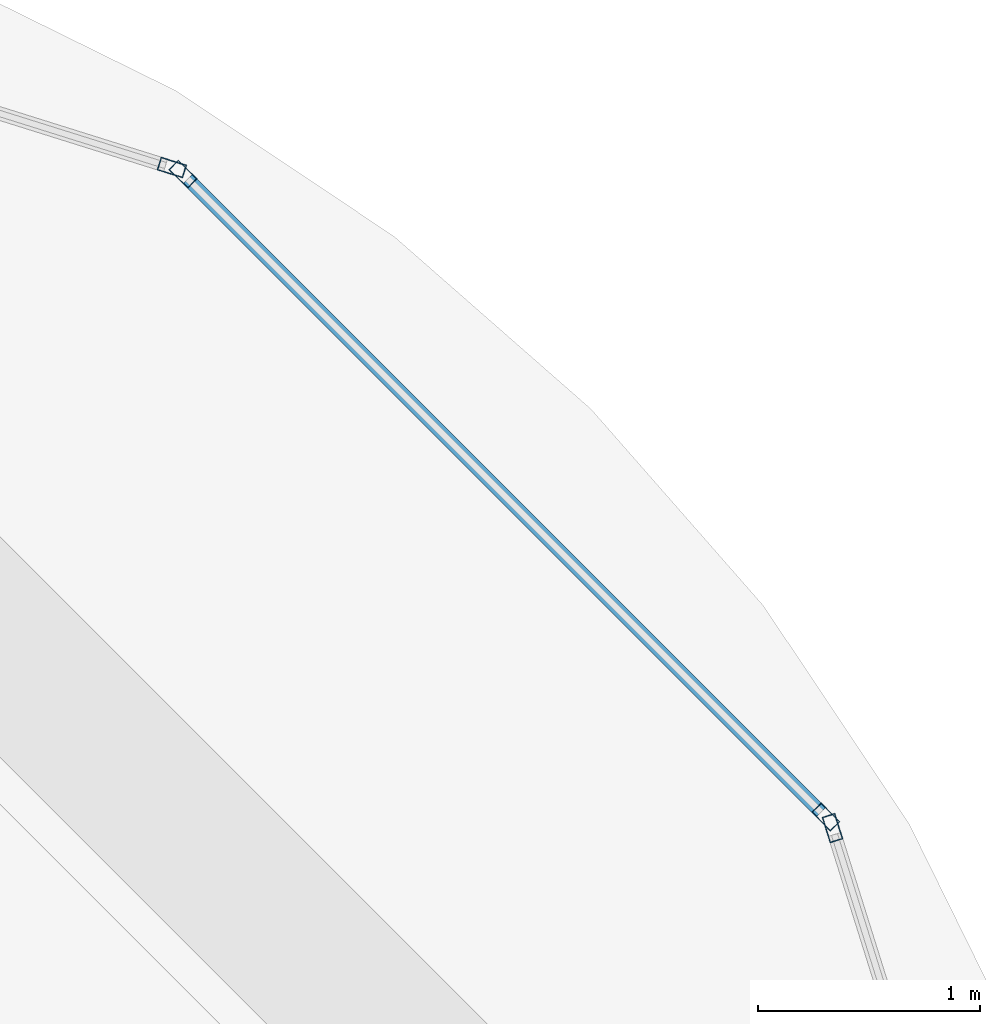
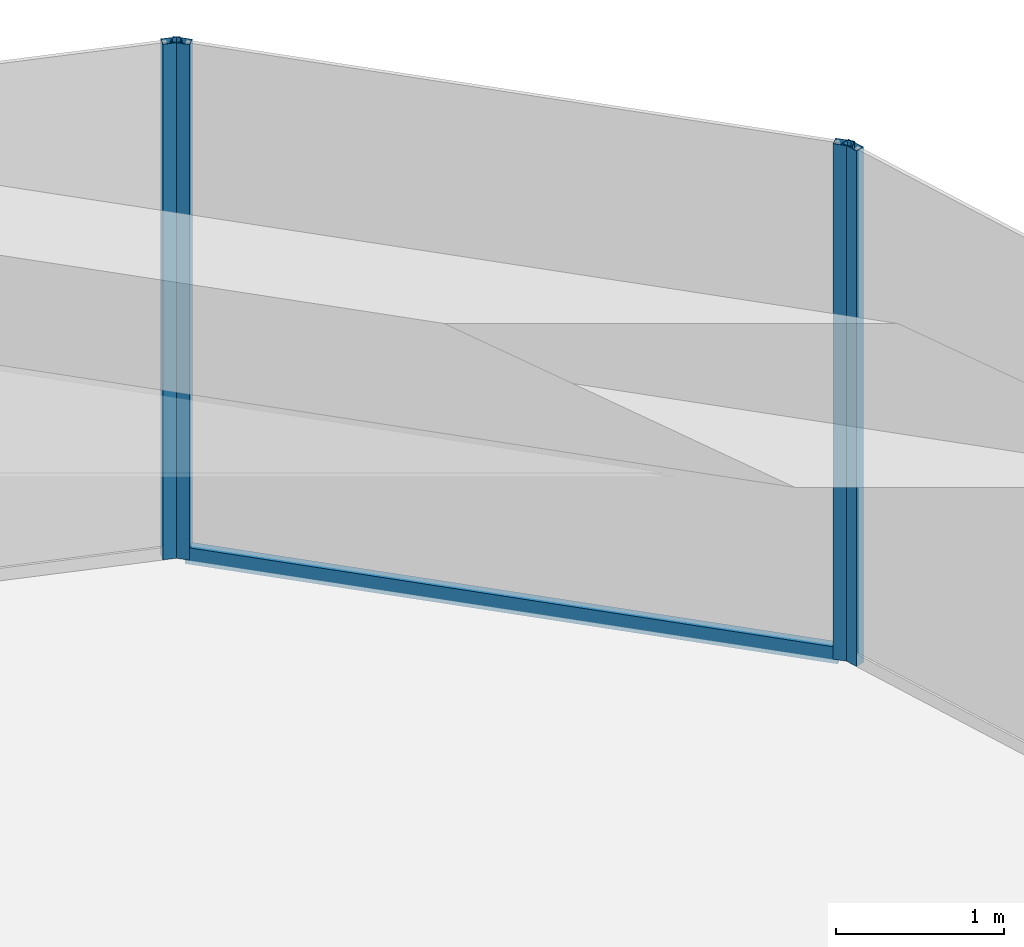
# One storey, part 39 of 44: 5 members, 3 elements without a shape of their own.
"""IFC4 building model written with IfcOpenShell, lengths in metres."""

from ifc_helpers import new_model, si_unit, direction, frame, origin, origin_2d, place, context, subcontext, project, spatial, hollow_rectangle, extrude, material, material_profile, profile_set, type_object, element, aggregate, save


model = new_model("IFC4")

# Units and contexts
model_context = context("Model", 3, precision=1e-05, world=origin(), true_north=direction((0.0, 1.0)))
body_context = subcontext(model_context, "Body", "Model", "MODEL_VIEW")
ifc_project = project(units=[si_unit("LENGTHUNIT", "METRE"), si_unit("AREAUNIT", "SQUARE_METRE"), si_unit("VOLUMEUNIT", "CUBIC_METRE"), si_unit("PLANEANGLEUNIT", "RADIAN"), si_unit("MASSUNIT", "GRAM", prefix="KILO")], contexts=[model_context])

# Site, building, storey
site_placement = place(None, origin())
site = spatial("IfcSite", under=ifc_project, at=site_placement, CompositionType="ELEMENT")
building_placement = place(site_placement, origin())
building = spatial("IfcBuilding", under=site, at=building_placement, Name="Zorevar Civic Tower", CompositionType="ELEMENT")
storey_placement = place(building_placement, frame((0.0, 0.0, 295.39990234375)))
storey = spatial("IfcBuildingStorey", under=building, at=storey_placement, Name="L72", CompositionType="ELEMENT", Elevation=295.39990234375)

# Curtain wall, member
ifc_material_1 = material(Name="Dark grey solar-control glass in black aluminium frame", Category="aluminium")
curtain_wall_type = type_object("IfcCurtainWallType", Name="Curtain wall CW5 top zone", PredefinedType="NOTDEFINED", material=ifc_material_1)
curtain_wall_1_placement = place(storey_placement, origin())
curtain_wall_1 = element("IfcCurtainWall", 1, at=curtain_wall_1_placement, inside=storey, type_object=curtain_wall_type, Name="CW5 L72", PredefinedType="NOTDEFINED")
ifc_material_2 = material(Name="Aluminium, black anodised", Category="aluminium")
ifc_material_profile_1 = material_profile(ifc_material_2, hollow_rectangle(XDim=0.06005859375, YDim=0.1201171875, WallThickness=0.0029296875, at=origin_2d()), Name="AL 120x60x3")
ifc_profile_set_1 = profile_set([ifc_material_profile_1], Name="Aluminium, black anodised")
member_type_1 = type_object("IfcMemberType", Name="CW5 mullion AL 120x60x3", PredefinedType="MULLION", material=ifc_profile_set_1)
member_1_placement = place(storey_placement, frame((52.449951171875, 40.479248046875, 0.0), z_axis=(0.0, 0.0, 1.0), x_axis=(-0.954153437674, -0.299317920238, 0.0)))
member_1 = element("IfcMember", 2, at=member_1_placement, type_object=member_type_1, Name="CW5 mullion 2", PredefinedType="MULLION", context=body_context, shape_type="SweptSolid", body=[
    extrude(hollow_rectangle(XDim=0.06005859375, YDim=0.1201171875, WallThickness=0.0029296875, at=origin_2d()), origin(), (0.0, 0.0, 1.0), 3.75),
])
aggregate(curtain_wall_1, [member_1])

# Curtain wall, members
curtain_wall_2_placement = place(storey_placement, origin())
curtain_wall_2 = element("IfcCurtainWall", 3, at=curtain_wall_2_placement, inside=storey, type_object=curtain_wall_type, Name="CW5 L72", PredefinedType="NOTDEFINED")
member_2_placement = place(storey_placement, frame((52.419677734375, 40.529052734375, 0.0), z_axis=(0.0, 0.0, 1.0), x_axis=(-0.707106781187, -0.707106781187, 0.0)))
member_2 = element("IfcMember", 4, at=member_2_placement, type_object=member_type_1, Name="CW5 mullion 1", PredefinedType="MULLION", context=body_context, shape_type="SweptSolid", body=[
    extrude(hollow_rectangle(XDim=0.06005859375, YDim=0.1201171875, WallThickness=0.0029296875, at=origin_2d()), origin(), (0.0, 0.0, 1.0), 3.75),
])
member_3_placement = place(storey_placement, frame((49.529052734375, 43.419677734375, 0.0), z_axis=(0.0, 0.0, 1.0), x_axis=(-0.707106781187, -0.707106781187, 0.0)))
member_3 = element("IfcMember", 5, at=member_3_placement, type_object=member_type_1, Name="CW5 mullion 2", PredefinedType="MULLION", context=body_context, shape_type="SweptSolid", body=[
    extrude(hollow_rectangle(XDim=0.06005859375, YDim=0.1201171875, WallThickness=0.0029296875, at=origin_2d()), origin(), (0.0, 0.0, 1.0), 3.75),
])

# Curtain wall, member
curtain_wall_3_placement = place(storey_placement, origin())
curtain_wall_3 = element("IfcCurtainWall", 6, at=curtain_wall_3_placement, inside=storey, type_object=curtain_wall_type, Name="CW5 L72", PredefinedType="NOTDEFINED")
member_4_placement = place(storey_placement, frame((49.479248046875, 43.449951171875, 0.0), z_axis=(0.0, 0.0, 1.0), x_axis=(-0.299317920238, -0.954153437674, 0.0)))
member_4 = element("IfcMember", 7, at=member_4_placement, type_object=member_type_1, Name="CW5 mullion 1", PredefinedType="MULLION", context=body_context, shape_type="SweptSolid", body=[
    extrude(hollow_rectangle(XDim=0.06005859375, YDim=0.1201171875, WallThickness=0.0029296875, at=origin_2d()), origin(), (0.0, 0.0, 1.0), 3.75),
])
aggregate(curtain_wall_3, [member_4])

# Member
ifc_material_3 = material(Name="Aluminium, black anodised", Category="aluminium")
ifc_material_profile_2 = material_profile(ifc_material_3, hollow_rectangle(XDim=0.06005859375, YDim=0.1201171875, WallThickness=0.0029296875, at=origin_2d()), Name="AL 120x60x3")
ifc_profile_set_2 = profile_set([ifc_material_profile_2], Name="Aluminium, black anodised")
member_type_2 = type_object("IfcMemberType", Name="CW5 transom AL 120x60x3", PredefinedType="USERDEFINED", material=ifc_profile_set_2)
member_5_placement = place(storey_placement, frame((52.3984375, 40.55029296875, 0.030029296875), z_axis=(-0.707106781187, 0.707106781187, 0.0), x_axis=(-0.707106781187, -0.707106781187, 0.0)))
member_5 = element("IfcMember", 8, at=member_5_placement, type_object=member_type_2, Name="CW5 sill transom", ObjectType="TRANSOM", PredefinedType="USERDEFINED", context=body_context, shape_type="SweptSolid", body=[
    extrude(hollow_rectangle(XDim=0.06005859375, YDim=0.1201171875, WallThickness=0.0029296875, at=origin_2d()), origin(), (0.0, 0.0, 1.0), 4.02783203125),
])

aggregate(curtain_wall_2, [member_2, member_3, member_5])

save(model, "model.ifc")
